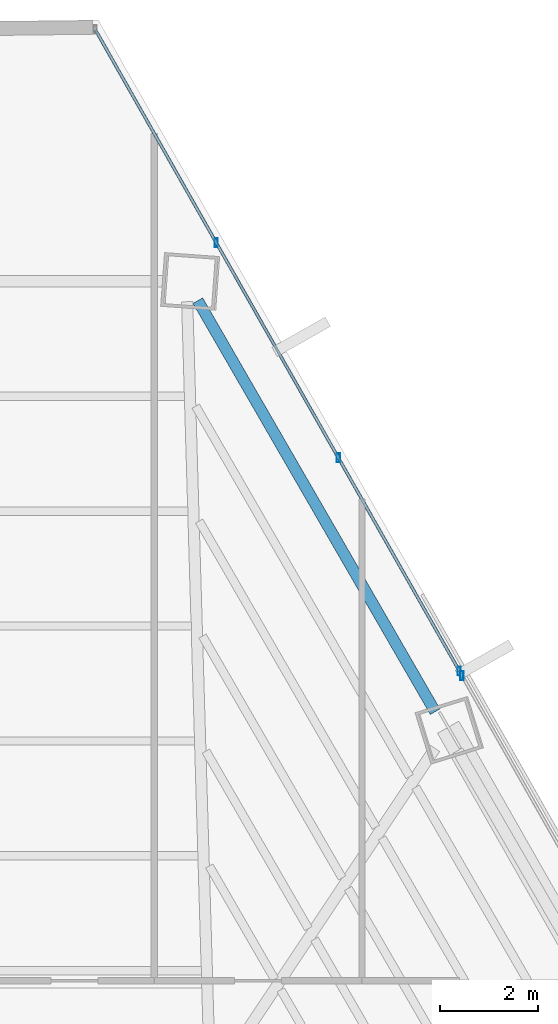
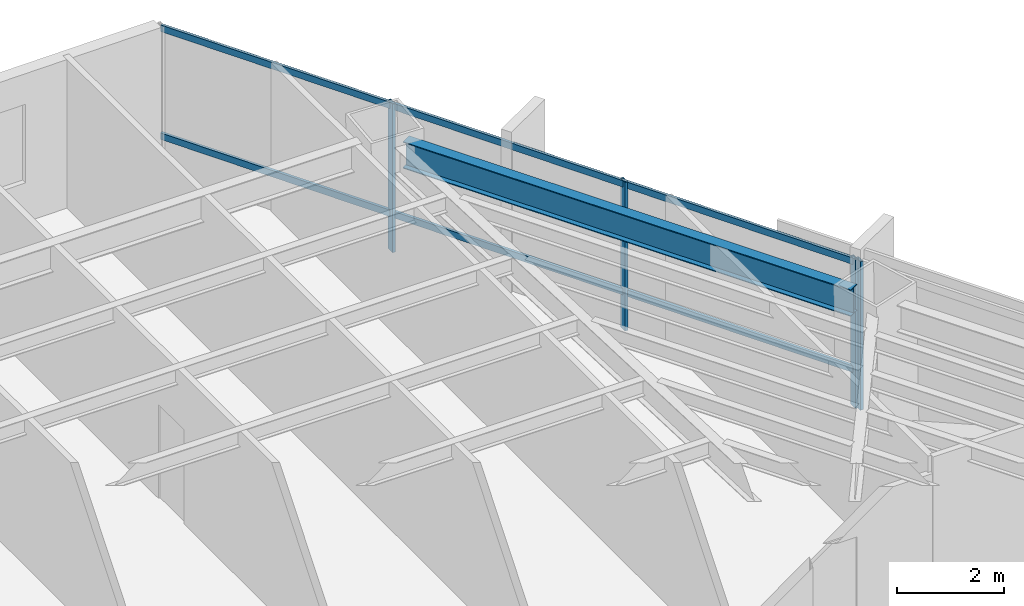
# One storey, part 29 of 37: 6 members, 1 beam, 2 elements without a shape of their own.
"""IFC4 building model written with IfcOpenShell, lengths in metres."""

from ifc_helpers import new_model, si_unit, direction, frame, origin, origin_2d, place, context, subcontext, project, spatial, hollow_rectangle, i_section, extrude, source, transform, mapped, material, material_profile, profile_set, type_object, type_shapes, element, aggregate, save


model = new_model("IFC4")

# Units and contexts
model_context = context("Model", 3, precision=1e-05, world=origin(), true_north=direction((0.0, 1.0)))
body_context = subcontext(model_context, "Body", "Model", "MODEL_VIEW")
ifc_project = project(units=[si_unit("LENGTHUNIT", "METRE"), si_unit("AREAUNIT", "SQUARE_METRE"), si_unit("VOLUMEUNIT", "CUBIC_METRE"), si_unit("PLANEANGLEUNIT", "RADIAN"), si_unit("MASSUNIT", "GRAM", prefix="KILO")], contexts=[model_context])

# Site, building, storey
site_placement = place(None, origin())
site = spatial("IfcSite", under=ifc_project, at=site_placement, CompositionType="ELEMENT")
building_placement = place(site_placement, origin())
building = spatial("IfcBuilding", under=site, at=building_placement, Name="Caelisora Broadcast Tower", CompositionType="ELEMENT")
storey_placement = place(building_placement, frame((0.0, 0.0, 120.0)))
storey = spatial("IfcBuildingStorey", under=building, at=storey_placement, Name="L31", CompositionType="ELEMENT", Elevation=120.0)

# Beam
ifc_material_1 = material(Name="Steel Grade 350 (AS/NZS 3679.1)", Category="steel")
ifc_material_profile_1 = material_profile(ifc_material_1, i_section(OverallWidth=0.22900390625, OverallDepth=0.611572265625, WebThickness=0.011962890625, FlangeThickness=0.01953125, at=origin_2d()), Name="Steel Grade 350 (AS/NZS 3679.1)")
ifc_profile_set_1 = profile_set([ifc_material_profile_1], Name="Steel Grade 350 (AS/NZS 3679.1)")
beam_type = type_object("IfcBeamType", Name="PG03", PredefinedType="BEAM", material=ifc_profile_set_1)
shared_shape_1 = source(origin(), body_context, "Body", "SweptSolid", [
    extrude(i_section(OverallWidth=0.22900390625, OverallDepth=0.611572265625, WebThickness=0.011962890625, FlangeThickness=0.01953125, at=origin_2d()), origin(), (0.0, 0.0, 1.0), 9.697265625),
])
type_shapes(beam_type, [shared_shape_1])
beam_placement = place(storey_placement, frame((50.095703125, 37.64453125, 3.09423828125), z_axis=(-0.500005767435, 0.866022073929, 0.0), x_axis=(-0.866022073929, -0.500005767435, 0.0)))
element("IfcBeam", 1, at=beam_placement, inside=storey, type_object=beam_type, Name="L31 beam PG03", PredefinedType="BEAM", context=body_context, shape_type="MappedRepresentation", body=[
    mapped(shared_shape_1, transform((0.0, 0.0, 0.0), scale=1.0)),
])

# Curtain wall, members
ifc_material_2 = material(Name="Unitised Aluminium and Low-E Glass Curtain Wall", Category="glass")
curtain_wall_type_1 = type_object("IfcCurtainWallType", Name="CW-Z2", PredefinedType="NOTDEFINED", material=ifc_material_2)
curtain_wall_1_placement = place(storey_placement, origin())
curtain_wall_1 = element("IfcCurtainWall", 2, at=curtain_wall_1_placement, inside=storey, type_object=curtain_wall_type_1, Name="L31 curtain wall CW-Z2", PredefinedType="NOTDEFINED")
ifc_material_3 = material(Name="Aluminium 6063-T6 Anodised Terracotta Bronze", Category="aluminium")
ifc_material_profile_2 = material_profile(ifc_material_3, hollow_rectangle(XDim=0.06494140625, YDim=0.179931640625, WallThickness=0.00341796875, at=origin_2d()), Name="Aluminium 6063-T6 Anodised Terracotta Bronze")
ifc_profile_set_2 = profile_set([ifc_material_profile_2], Name="Aluminium 6063-T6 Anodised Terracotta Bronze")
member_type_1 = type_object("IfcMemberType", Name="CWM-02", PredefinedType="MULLION", material=ifc_profile_set_2)
shared_shape_2 = source(origin(), body_context, "Body", "SweptSolid", [
    extrude(hollow_rectangle(XDim=0.06494140625, YDim=0.179931640625, WallThickness=0.00341796875, at=origin_2d()), origin(), (0.0, 0.0, 1.0), 3.39990234375),
])
type_shapes(member_type_1, [shared_shape_2])
member_1_placement = place(storey_placement, frame((45.622802734375, 47.228515625, 0.0), z_axis=(0.0, 0.0, 1.0), x_axis=(1.0, 0.0, 0.0)))
member_1 = element("IfcMember", 3, at=member_1_placement, type_object=member_type_1, Name="L31-CW-B01 mullion #1", PredefinedType="MULLION", context=body_context, shape_type="MappedRepresentation", body=[
    mapped(shared_shape_2, transform((0.0, 0.0, 0.0), scale=1.0)),
])
member_2_placement = place(storey_placement, frame((48.119384765625, 42.830810546875, 0.0), z_axis=(0.0, 0.0, 1.0), x_axis=(1.0, 0.0, 0.0)))
member_2 = element("IfcMember", 4, at=member_2_placement, type_object=member_type_1, Name="L31-CW-B01 mullion #2", PredefinedType="MULLION", context=body_context, shape_type="MappedRepresentation", body=[
    mapped(shared_shape_2, transform((0.0, 0.0, 0.0), scale=1.0)),
])
member_3_placement = place(storey_placement, frame((50.59130859375, 38.476806640625, 0.0), z_axis=(0.0, 0.0, 1.0), x_axis=(1.0, 0.0, 0.0)))
member_3 = element("IfcMember", 5, at=member_3_placement, type_object=member_type_1, Name="L31-CW-B01 mullion #3", PredefinedType="MULLION", context=body_context, shape_type="MappedRepresentation", body=[
    mapped(shared_shape_2, transform((0.0, 0.0, 0.0), scale=1.0)),
])

# Curtain wall, member
ifc_material_4 = material(Name="Unitised Aluminium Insulated Shadow-Box Spandrel Curtain Wall", Category="aluminium")
curtain_wall_type_2 = type_object("IfcCurtainWallType", Name="CW-SP1", PredefinedType="NOTDEFINED", material=ifc_material_4)
curtain_wall_2_placement = place(storey_placement, origin())
curtain_wall_2 = element("IfcCurtainWall", 6, at=curtain_wall_2_placement, inside=storey, type_object=curtain_wall_type_2, Name="L31 curtain wall CW-SP1", PredefinedType="NOTDEFINED")
member_4_placement = place(storey_placement, frame((50.645751953125, 38.381103515625, 0.0), z_axis=(0.0, 0.0, 1.0), x_axis=(1.0, 0.0, 0.0)))
member_4 = element("IfcMember", 7, at=member_4_placement, type_object=member_type_1, Name="L31-CW-B02 mullion #0", PredefinedType="MULLION", context=body_context, shape_type="MappedRepresentation", body=[
    mapped(shared_shape_2, transform((0.0, 0.0, 0.0), scale=1.0)),
])
aggregate(curtain_wall_2, [member_4])

# Member
ifc_material_profile_3 = material_profile(ifc_material_3, hollow_rectangle(XDim=0.06005859375, YDim=0.14990234375, WallThickness=0.00341796875, at=origin_2d()), Name="Aluminium 6063-T6 Anodised Terracotta Bronze")
ifc_profile_set_3 = profile_set([ifc_material_profile_3], Name="Aluminium 6063-T6 Anodised Terracotta Bronze")
member_type_2 = type_object("IfcMemberType", Name="CWT-02", PredefinedType="USERDEFINED", material=ifc_profile_set_3)
shared_shape_3 = source(origin(), body_context, "Body", "SweptSolid", [
    extrude(hollow_rectangle(XDim=0.06005859375, YDim=0.14990234375, WallThickness=0.00341796875, at=origin_2d()), origin(), (0.0, 0.0, 1.0), 15.070556640625),
])
type_shapes(member_type_2, [shared_shape_3])
member_5_placement = place(storey_placement, frame((43.150634765625, 51.58251953125, 0.85009765625), z_axis=(0.493720757331, -0.869620499862, 0.0), x_axis=(0.869620499862, 0.493720757331, 0.0)))
member_5 = element("IfcMember", 8, at=member_5_placement, type_object=member_type_2, Name="L31-CW-B01 transom #1", ObjectType="TRANSOM", PredefinedType="USERDEFINED", context=body_context, shape_type="MappedRepresentation", body=[
    mapped(shared_shape_3, transform((0.0, 0.0, 0.0), scale=1.0)),
])

member_6_placement = place(storey_placement, frame((43.150634765625, 51.58251953125, 3.320068359375), z_axis=(0.493720757331, -0.869620499862, 0.0), x_axis=(0.869620499862, 0.493720757331, 0.0)))
member_6 = element("IfcMember", 9, at=member_6_placement, type_object=member_type_2, Name="L31-CW-B01 transom #2", ObjectType="TRANSOM", PredefinedType="USERDEFINED", context=body_context, shape_type="MappedRepresentation", body=[
    mapped(shared_shape_3, transform((0.0, 0.0, 0.0), scale=1.0)),
])

aggregate(curtain_wall_1, [member_1, member_2, member_3, member_5, member_6])

save(model, "model.ifc")
